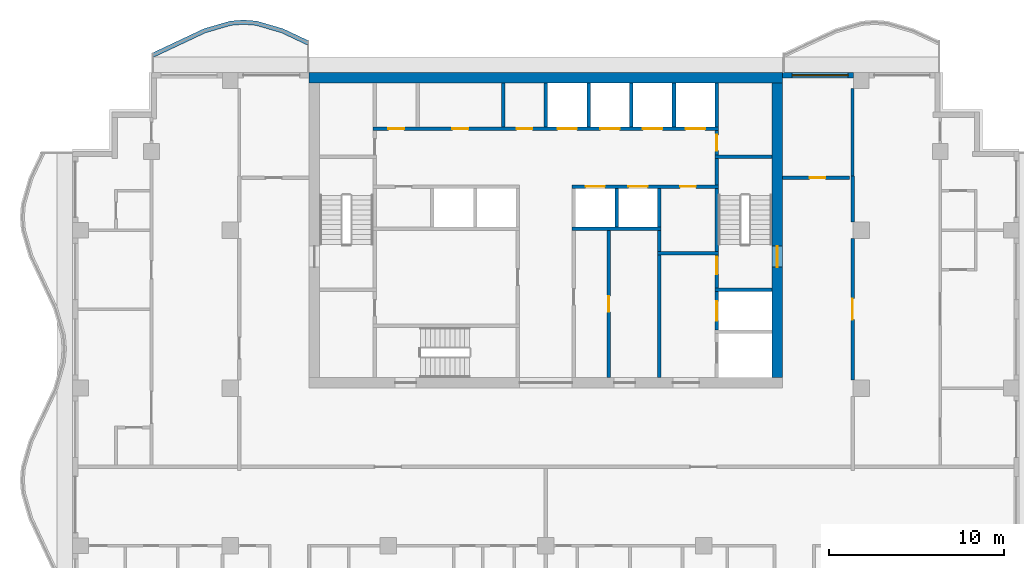
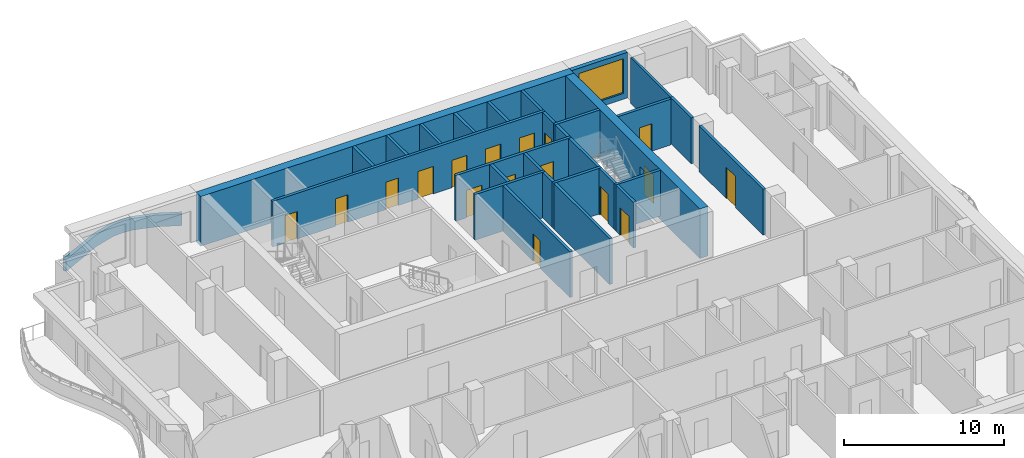
# One storey, part 6 of 11: 30 walls, 17 doors, 1 window, 18 openings.
"""IFC4 building model written with IfcOpenShell, lengths in metres."""

from ifc_helpers import new_model, si_unit, direction, frame, frame_2d, origin, place, context, subcontext, project, spatial, polyline, rectangle, outline, extrude, material, layer, layer_set, type_object, element, fill, save


model = new_model("IFC4")

# Units and contexts
model_context = context("Model", 3, precision=1e-05, world=origin(), true_north=direction((0.0, 1.0)))
body_context = subcontext(model_context, "Body", "Model", "MODEL_VIEW")
ifc_project = project(units=[si_unit("LENGTHUNIT", "METRE"), si_unit("AREAUNIT", "SQUARE_METRE"), si_unit("VOLUMEUNIT", "CUBIC_METRE"), si_unit("PLANEANGLEUNIT", "RADIAN"), si_unit("MASSUNIT", "GRAM", prefix="KILO")], contexts=[model_context])

# Site, building, storey
site_placement = place(None, origin())
site = spatial("IfcSite", under=ifc_project, at=site_placement, CompositionType="ELEMENT")
building_placement = place(site_placement, origin())
building = spatial("IfcBuilding", under=site, at=building_placement, Name="Orbiselva Terraces", CompositionType="ELEMENT")
storey_placement = place(building_placement, frame((0.0, 0.0, 273.0)))
storey = spatial("IfcBuildingStorey", under=building, at=storey_placement, Name="L69", CompositionType="ELEMENT", Elevation=273.0)

# Wall, opening, door
ifc_material_1 = material(Name="Concrete C80/95", Category="concrete")
ifc_layer_1 = layer(ifc_material_1, 0.6)
ifc_layer_set_1 = layer_set([ifc_layer_1], Name="Concrete C80/95")
wall_type_1 = type_object("IfcWallType", Name="CORE WALL 600", PredefinedType="SHEAR", material=ifc_layer_set_1)
wall_1_placement = place(storey_placement, frame((13.2, 5.1, -0.3), z_axis=(0.0, 0.0, 1.0), x_axis=(0.0, 1.0, 0.0)))
wall_1 = element("IfcWall", 1, at=wall_1_placement, inside=storey, type_object=wall_type_1, Name="Core wall L69 east", PredefinedType="SHEAR", context=body_context, shape_type="SweptSolid", body=[
    extrude(rectangle(XDim=16.8, YDim=0.6, at=frame_2d((8.4, 0.0))), origin(), (0.0, 0.0, 1.0), 3.8),
])
opening_1_placement = place(wall_1_placement, frame((6.3, 0.0, 0.3)))
opening_1 = element("IfcOpeningElement", 2, at=opening_1_placement, cuts=wall_1, Name="Opening DS1200", PredefinedType="OPENING", context=body_context, shape_type="SweptSolid", body=[
    extrude(rectangle(XDim=1.2, YDim=2.2, at=frame_2d((0.6, 1.1))), frame((0.0, 0.31, 0.0), z_axis=(0.0, -1.0, 0.0), x_axis=(1.0, 0.0, 0.0)), (0.0, 0.0, 1.0), 0.62),
])
ifc_material_2 = material(Name="Steel fire door", Category="steel")
door_type_1 = type_object("IfcDoorType", Name="STAIR DOOR 1200", OperationType="NOTDEFINED", PredefinedType="DOOR", material=ifc_material_2)
door_1_placement = place(opening_1_placement, frame((1.2, 0.0, 0.0), z_axis=(0.0, 0.0, 1.0), x_axis=(-1.0, 0.0, 0.0)))
door_1 = element("IfcDoor", 3, at=door_1_placement, inside=storey, type_object=door_type_1, Name="L69 EXIT STAIR S2 door", OperationType="SINGLE_SWING_LEFT", OverallHeight=2.2, OverallWidth=1.2, PredefinedType="DOOR", context=body_context, shape_type="SweptSolid", body=[
    extrude(rectangle(XDim=1.2, YDim=2.2, at=frame_2d((0.6, 1.1))), frame((0.0, 0.025, 0.0), z_axis=(0.0, -1.0, 0.0), x_axis=(1.0, 0.0, 0.0)), (0.0, 0.0, 1.0), 0.05),
])
fill(opening_1, door_1)

# Walls
ifc_layer_2 = layer(ifc_material_1, 0.6)
ifc_layer_set_2 = layer_set([ifc_layer_2], Name="Concrete C80/95")
wall_type_2 = type_object("IfcWallType", Name="CORE WALL 600 EXTERNAL", PredefinedType="SHEAR", material=ifc_layer_set_2)
wall_2_placement = place(storey_placement, frame((13.5, 22.2, -0.3), z_axis=(0.0, 0.0, 1.0), x_axis=(-1.0, 0.0, 0.0)))
element("IfcWall", 4, at=wall_2_placement, inside=storey, type_object=wall_type_2, Name="Core wall L69 north", PredefinedType="SHEAR", context=body_context, shape_type="SweptSolid", body=[
    extrude(rectangle(XDim=27.0, YDim=0.6, at=frame_2d((13.5, 0.0))), origin(), (0.0, 0.0, 1.0), 3.8),
])
ifc_material_3 = material(Name="Masonry blockwork", Category="masonry")
ifc_layer_3 = layer(ifc_material_3, 0.2)
ifc_layer_set_3 = layer_set([ifc_layer_3], Name="Masonry blockwork")
wall_type_3 = type_object("IfcWallType", Name="CORE-WALL-PARTITION-200", PredefinedType="PARTITIONING", material=ifc_layer_set_3)
wall_3_placement = place(storey_placement, frame((-2.4375, 19.4, 0.0), z_axis=(0.0, 0.0, 1.0), x_axis=(0.0, 1.0, 0.0)))
element("IfcWall", 5, at=wall_3_placement, inside=storey, type_object=wall_type_3, Name="L69 core wall 17", PredefinedType="PARTITIONING", context=body_context, shape_type="SweptSolid", body=[
    extrude(rectangle(XDim=2.5, YDim=0.2, at=frame_2d((1.25, 0.0))), origin(), (0.0, 0.0, 1.0), 3.5),
])

# Wall, opening, door
wall_4_placement = place(storey_placement, frame((3.6, 13.5, 0.0), z_axis=(0.0, 0.0, 1.0), x_axis=(0.0, -1.0, 0.0)))
wall_4 = element("IfcWall", 6, at=wall_4_placement, inside=storey, type_object=wall_type_3, Name="L69 core wall 27", PredefinedType="PARTITIONING", context=body_context, shape_type="SweptSolid", body=[
    extrude(rectangle(XDim=8.4, YDim=0.2, at=frame_2d((4.2, 0.0))), origin(), (0.0, 0.0, 1.0), 3.5),
])
opening_2_placement = place(wall_4_placement, frame((3.75, 0.0, 0.0)))
opening_2 = element("IfcOpeningElement", 7, at=opening_2_placement, cuts=wall_4, Name="Opening DR900", PredefinedType="OPENING", context=body_context, shape_type="SweptSolid", body=[
    extrude(rectangle(XDim=0.9, YDim=2.1, at=frame_2d((0.45, 1.05))), frame((0.0, 0.11, 0.0), z_axis=(0.0, -1.0, 0.0), x_axis=(1.0, 0.0, 0.0)), (0.0, 0.0, 1.0), 0.22),
])
door_type_2 = type_object("IfcDoorType", Name="ROOM DOOR 900", OperationType="NOTDEFINED", PredefinedType="DOOR", material=ifc_material_2)
door_2_placement = place(opening_2_placement, origin())
door_2 = element("IfcDoor", 8, at=door_2_placement, inside=storey, type_object=door_type_2, Name="L69 SERVICE ROOM door", OperationType="SINGLE_SWING_RIGHT", OverallHeight=2.1, OverallWidth=0.9, PredefinedType="DOOR", context=body_context, shape_type="SweptSolid", body=[
    extrude(rectangle(XDim=0.9, YDim=2.1, at=frame_2d((0.45, 1.05))), frame((0.0, 0.025, 0.0), z_axis=(0.0, -1.0, 0.0), x_axis=(1.0, 0.0, 0.0)), (0.0, 0.0, 1.0), 0.05),
])
fill(opening_2, door_2)

# Wall
wall_5_placement = place(storey_placement, frame((6.475, 12.3, 0.0), z_axis=(0.0, 0.0, 1.0), x_axis=(0.0, 1.0, 0.0)))
element("IfcWall", 9, at=wall_5_placement, inside=storey, type_object=wall_type_3, Name="L69 core wall 32", PredefinedType="PARTITIONING", context=body_context, shape_type="SweptSolid", body=[
    extrude(rectangle(XDim=1.2, YDim=0.2, at=frame_2d((0.6, 0.0))), origin(), (0.0, 0.0, 1.0), 3.5),
])

# Wall, opening, door
wall_6_placement = place(storey_placement, frame((9.75, 19.2, 0.0), z_axis=(0.0, 0.0, 1.0), x_axis=(0.0, -1.0, 0.0)))
wall_6 = element("IfcWall", 10, at=wall_6_placement, inside=storey, type_object=wall_type_3, Name="L69 core wall 43", PredefinedType="PARTITIONING", context=body_context, shape_type="SweptSolid", body=[
    extrude(rectangle(XDim=1.4, YDim=0.2, at=frame_2d((0.7, 0.0))), origin(), (0.0, 0.0, 1.0), 3.5),
])
opening_3_placement = place(wall_6_placement, frame((0.25, 0.0, 0.0)))
opening_3 = element("IfcOpeningElement", 11, at=opening_3_placement, cuts=wall_6, Name="Opening DR900", PredefinedType="OPENING", context=body_context, shape_type="SweptSolid", body=[
    extrude(rectangle(XDim=0.9, YDim=2.1, at=frame_2d((0.45, 1.05))), frame((0.0, 0.11, 0.0), z_axis=(0.0, -1.0, 0.0), x_axis=(1.0, 0.0, 0.0)), (0.0, 0.0, 1.0), 0.22),
])
door_3_placement = place(opening_3_placement, origin())
door_3 = element("IfcDoor", 12, at=door_3_placement, inside=storey, type_object=door_type_2, Name="L69 COMMS RISER ROOM door", OperationType="SINGLE_SWING_RIGHT", OverallHeight=2.1, OverallWidth=0.9, PredefinedType="DOOR", context=body_context, shape_type="SweptSolid", body=[
    extrude(rectangle(XDim=0.9, YDim=2.1, at=frame_2d((0.45, 1.05))), frame((0.0, 0.025, 0.0), z_axis=(0.0, -1.0, 0.0), x_axis=(1.0, 0.0, 0.0)), (0.0, 0.0, 1.0), 0.05),
])
fill(opening_3, door_3)

# Walls
ifc_material_4 = material(Name="Concrete C40/50", Category="concrete")
ifc_layer_4 = layer(ifc_material_4, 0.2)
ifc_layer_set_4 = layer_set([ifc_layer_4], Name="Concrete C40/50")
wall_type_4 = type_object("IfcWallType", Name="CORE-WALL-SHAFT-200", PredefinedType="PARTITIONING", material=ifc_layer_set_4)
for number, where, z_axis, x_axis, name in (
    (13, (0.0, 19.4, 0.0), (0.0, 0.0, 1.0), (0.0, 1.0, 0.0), "L69 core wall 21"),
    (14, (2.4375, 19.4, 0.0), (0.0, 0.0, 1.0), (0.0, 1.0, 0.0), "L69 core wall 26"),
):
    element("IfcWall", number, at=place(storey_placement, frame(where, z_axis=z_axis, x_axis=x_axis)), inside=storey, type_object=wall_type_4, Name=name, PredefinedType="PARTITIONING", context=body_context, shape_type="SweptSolid", body=[
        extrude(rectangle(XDim=2.5, YDim=0.2, at=frame_2d((1.25, 0.0))), origin(), (0.0, 0.0, 1.0), 3.5),
    ])
wall_7_placement = place(storey_placement, frame((4.0375, 13.7, 0.0), z_axis=(0.0, 0.0, 1.0), x_axis=(0.0, 1.0, 0.0)))
element("IfcWall", 15, at=wall_7_placement, inside=storey, type_object=wall_type_4, Name="L69 core wall 28", PredefinedType="PARTITIONING", context=body_context, shape_type="SweptSolid", body=[
    extrude(rectangle(XDim=2.2, YDim=0.2, at=frame_2d((1.1, 0.0))), origin(), (0.0, 0.0, 1.0), 3.5),
])
wall_8_placement = place(storey_placement, frame((4.875, 19.4, 0.0), z_axis=(0.0, 0.0, 1.0), x_axis=(0.0, 1.0, 0.0)))
element("IfcWall", 16, at=wall_8_placement, inside=storey, type_object=wall_type_4, Name="L69 core wall 29", PredefinedType="PARTITIONING", context=body_context, shape_type="SweptSolid", body=[
    extrude(rectangle(XDim=2.5, YDim=0.2, at=frame_2d((1.25, 0.0))), origin(), (0.0, 0.0, 1.0), 3.5),
])
wall_9_placement = place(storey_placement, frame((6.475, 13.7, 0.0), z_axis=(0.0, 0.0, 1.0), x_axis=(0.0, 1.0, 0.0)))
element("IfcWall", 17, at=wall_9_placement, inside=storey, type_object=wall_type_4, Name="L69 core wall 33", PredefinedType="PARTITIONING", context=body_context, shape_type="SweptSolid", body=[
    extrude(rectangle(XDim=2.2, YDim=0.2, at=frame_2d((1.1, 0.0))), origin(), (0.0, 0.0, 1.0), 3.5),
])
for number, where, z_axis, x_axis, name in (
    (18, (7.3125, 19.4, 0.0), (0.0, 0.0, 1.0), (0.0, 1.0, 0.0), "L69 core wall 34"),
    (19, (9.75, 19.4, 0.0), (0.0, 0.0, 1.0), (0.0, 1.0, 0.0), "L69 core wall 44"),
):
    element("IfcWall", number, at=place(storey_placement, frame(where, z_axis=z_axis, x_axis=x_axis)), inside=storey, type_object=wall_type_4, Name=name, PredefinedType="PARTITIONING", context=body_context, shape_type="SweptSolid", body=[
        extrude(rectangle(XDim=2.5, YDim=0.2, at=frame_2d((1.25, 0.0))), origin(), (0.0, 0.0, 1.0), 3.5),
    ])

# Wall, openings, doors
ifc_material_5 = material(Name="Concrete C60/75", Category="concrete")
ifc_layer_5 = layer(ifc_material_5, 0.2)
ifc_layer_set_5 = layer_set([ifc_layer_5], Name="Concrete C60/75")
wall_type_5 = type_object("IfcWallType", Name="CORE-WALL-SHEAR-200", PredefinedType="SHEAR", material=ifc_layer_set_5)
wall_10_placement = place(storey_placement, frame((-9.85, 19.3, 0.0), z_axis=(0.0, 0.0, 1.0), x_axis=(1.0, 0.0, 0.0)))
wall_10 = element("IfcWall", 20, at=wall_10_placement, inside=storey, type_object=wall_type_5, Name="L69 core wall 12", PredefinedType="SHEAR", context=body_context, shape_type="SweptSolid", body=[
    extrude(rectangle(XDim=19.7, YDim=0.2, at=frame_2d((9.85, 0.0))), origin(), (0.0, 0.0, 1.0), 3.5),
])
opening_4_placement = place(wall_10_placement, frame((10.51875, 0.0, 0.0)))
opening_4 = element("IfcOpeningElement", 21, at=opening_4_placement, cuts=wall_10, Name="Opening LD-HR1", PredefinedType="OPENING", context=body_context, shape_type="SweptSolid", body=[
    extrude(rectangle(XDim=1.1, YDim=2.1, at=frame_2d((0.55, 1.05))), frame((0.0, 0.11, 0.0), z_axis=(0.0, -1.0, 0.0), x_axis=(1.0, 0.0, 0.0)), (0.0, 0.0, 1.0), 0.22),
])
opening_5_placement = place(wall_10_placement, frame((12.95625, 0.0, 0.0)))
opening_5 = element("IfcOpeningElement", 22, at=opening_5_placement, cuts=wall_10, Name="Opening LD-HR2", PredefinedType="OPENING", context=body_context, shape_type="SweptSolid", body=[
    extrude(rectangle(XDim=1.1, YDim=2.1, at=frame_2d((0.55, 1.05))), frame((0.0, 0.11, 0.0), z_axis=(0.0, -1.0, 0.0), x_axis=(1.0, 0.0, 0.0)), (0.0, 0.0, 1.0), 0.22),
])
opening_6_placement = place(wall_10_placement, frame((15.39375, 0.0, 0.0)))
opening_6 = element("IfcOpeningElement", 23, at=opening_6_placement, cuts=wall_10, Name="Opening LD-HR3", PredefinedType="OPENING", context=body_context, shape_type="SweptSolid", body=[
    extrude(rectangle(XDim=1.1, YDim=2.1, at=frame_2d((0.55, 1.05))), frame((0.0, 0.11, 0.0), z_axis=(0.0, -1.0, 0.0), x_axis=(1.0, 0.0, 0.0)), (0.0, 0.0, 1.0), 0.22),
])
opening_7_placement = place(wall_10_placement, frame((17.83125, 0.0, 0.0)))
opening_7 = element("IfcOpeningElement", 24, at=opening_7_placement, cuts=wall_10, Name="Opening LD-HR4", PredefinedType="OPENING", context=body_context, shape_type="SweptSolid", body=[
    extrude(rectangle(XDim=1.1, YDim=2.1, at=frame_2d((0.55, 1.05))), frame((0.0, 0.11, 0.0), z_axis=(0.0, -1.0, 0.0), x_axis=(1.0, 0.0, 0.0)), (0.0, 0.0, 1.0), 0.22),
])
opening_8_placement = place(wall_10_placement, frame((0.8688, 0.0, 0.0)))
opening_8 = element("IfcOpeningElement", 25, at=opening_8_placement, cuts=wall_10, Name="Opening DR900", PredefinedType="OPENING", context=body_context, shape_type="SweptSolid", body=[
    extrude(rectangle(XDim=0.9, YDim=2.1, at=frame_2d((0.45, 1.05))), frame((0.0, 0.11, 0.0), z_axis=(0.0, -1.0, 0.0), x_axis=(1.0, 0.0, 0.0)), (0.0, 0.0, 1.0), 0.22),
])
opening_9_placement = place(wall_10_placement, frame((4.525, 0.0, 0.0)))
opening_9 = element("IfcOpeningElement", 26, at=opening_9_placement, cuts=wall_10, Name="Opening DR900", PredefinedType="OPENING", context=body_context, shape_type="SweptSolid", body=[
    extrude(rectangle(XDim=0.9, YDim=2.1, at=frame_2d((0.45, 1.05))), frame((0.0, 0.11, 0.0), z_axis=(0.0, -1.0, 0.0), x_axis=(1.0, 0.0, 0.0)), (0.0, 0.0, 1.0), 0.22),
])
opening_10_placement = place(wall_10_placement, frame((8.1812, 0.0, 0.0)))
opening_10 = element("IfcOpeningElement", 27, at=opening_10_placement, cuts=wall_10, Name="Opening DR900", PredefinedType="OPENING", context=body_context, shape_type="SweptSolid", body=[
    extrude(rectangle(XDim=0.9, YDim=2.1, at=frame_2d((0.45, 1.05))), frame((0.0, 0.11, 0.0), z_axis=(0.0, -1.0, 0.0), x_axis=(1.0, 0.0, 0.0)), (0.0, 0.0, 1.0), 0.22),
])
ifc_material_6 = material(Name="Stainless steel landing door", Category="steel")
door_type_3 = type_object("IfcDoorType", Name="LANDING DOOR 1100", OperationType="SLIDING_TO_LEFT", PredefinedType="DOOR", material=ifc_material_6)
door_4_placement = place(opening_4_placement, origin())
door_4 = element("IfcDoor", 28, at=door_4_placement, inside=storey, type_object=door_type_3, Name="L69 landing door HR1", OperationType="SLIDING_TO_RIGHT", OverallHeight=2.1, OverallWidth=1.1, PredefinedType="DOOR", context=body_context, shape_type="SweptSolid", body=[
    extrude(rectangle(XDim=1.1, YDim=2.1, at=frame_2d((0.55, 1.05))), frame((0.0, 0.025, 0.0), z_axis=(0.0, -1.0, 0.0), x_axis=(1.0, 0.0, 0.0)), (0.0, 0.0, 1.0), 0.05),
])
fill(opening_4, door_4)
door_5_placement = place(opening_5_placement, origin())
door_5 = element("IfcDoor", 29, at=door_5_placement, inside=storey, type_object=door_type_3, Name="L69 landing door HR2", OperationType="SLIDING_TO_RIGHT", OverallHeight=2.1, OverallWidth=1.1, PredefinedType="DOOR", context=body_context, shape_type="SweptSolid", body=[
    extrude(rectangle(XDim=1.1, YDim=2.1, at=frame_2d((0.55, 1.05))), frame((0.0, 0.025, 0.0), z_axis=(0.0, -1.0, 0.0), x_axis=(1.0, 0.0, 0.0)), (0.0, 0.0, 1.0), 0.05),
])
fill(opening_5, door_5)
door_6_placement = place(opening_6_placement, origin())
door_6 = element("IfcDoor", 30, at=door_6_placement, inside=storey, type_object=door_type_3, Name="L69 landing door HR3", OperationType="SLIDING_TO_RIGHT", OverallHeight=2.1, OverallWidth=1.1, PredefinedType="DOOR", context=body_context, shape_type="SweptSolid", body=[
    extrude(rectangle(XDim=1.1, YDim=2.1, at=frame_2d((0.55, 1.05))), frame((0.0, 0.025, 0.0), z_axis=(0.0, -1.0, 0.0), x_axis=(1.0, 0.0, 0.0)), (0.0, 0.0, 1.0), 0.05),
])
fill(opening_6, door_6)
door_7_placement = place(opening_7_placement, origin())
door_7 = element("IfcDoor", 31, at=door_7_placement, inside=storey, type_object=door_type_3, Name="L69 landing door HR4", OperationType="SLIDING_TO_RIGHT", OverallHeight=2.1, OverallWidth=1.1, PredefinedType="DOOR", context=body_context, shape_type="SweptSolid", body=[
    extrude(rectangle(XDim=1.1, YDim=2.1, at=frame_2d((0.55, 1.05))), frame((0.0, 0.025, 0.0), z_axis=(0.0, -1.0, 0.0), x_axis=(1.0, 0.0, 0.0)), (0.0, 0.0, 1.0), 0.05),
])
fill(opening_7, door_7)
door_8_placement = place(opening_8_placement, origin())
door_8 = element("IfcDoor", 32, at=door_8_placement, inside=storey, type_object=door_type_2, Name="L69 STORE door", OperationType="SINGLE_SWING_LEFT", OverallHeight=2.1, OverallWidth=0.9, PredefinedType="DOOR", context=body_context, shape_type="SweptSolid", body=[
    extrude(rectangle(XDim=0.9, YDim=2.1, at=frame_2d((0.45, 1.05))), frame((0.0, 0.025, 0.0), z_axis=(0.0, -1.0, 0.0), x_axis=(1.0, 0.0, 0.0)), (0.0, 0.0, 1.0), 0.05),
])
fill(opening_8, door_8)
door_9_placement = place(opening_9_placement, origin())
door_9 = element("IfcDoor", 33, at=door_9_placement, inside=storey, type_object=door_type_2, Name="L69 IT ROOM door", OperationType="SINGLE_SWING_LEFT", OverallHeight=2.1, OverallWidth=0.9, PredefinedType="DOOR", context=body_context, shape_type="SweptSolid", body=[
    extrude(rectangle(XDim=0.9, YDim=2.1, at=frame_2d((0.45, 1.05))), frame((0.0, 0.025, 0.0), z_axis=(0.0, -1.0, 0.0), x_axis=(1.0, 0.0, 0.0)), (0.0, 0.0, 1.0), 0.05),
])
fill(opening_9, door_9)
door_10_placement = place(opening_10_placement, origin())
door_10 = element("IfcDoor", 34, at=door_10_placement, inside=storey, type_object=door_type_2, Name="L69 CLEANERS STORE door", OperationType="SINGLE_SWING_LEFT", OverallHeight=2.1, OverallWidth=0.9, PredefinedType="DOOR", context=body_context, shape_type="SweptSolid", body=[
    extrude(rectangle(XDim=0.9, YDim=2.1, at=frame_2d((0.45, 1.05))), frame((0.0, 0.025, 0.0), z_axis=(0.0, -1.0, 0.0), x_axis=(1.0, 0.0, 0.0)), (0.0, 0.0, 1.0), 0.05),
])
fill(opening_10, door_10)

# Wall
wall_11_placement = place(storey_placement, frame((1.5, 13.6, 0.0), z_axis=(0.0, 0.0, 1.0), x_axis=(1.0, 0.0, 0.0)))
element("IfcWall", 35, at=wall_11_placement, inside=storey, type_object=wall_type_5, Name="L69 core wall 23", PredefinedType="SHEAR", context=body_context, shape_type="SweptSolid", body=[
    extrude(rectangle(XDim=5.075, YDim=0.2, at=frame_2d((2.5375, 0.0))), origin(), (0.0, 0.0, 1.0), 3.5),
])

# Wall, openings, doors
wall_12_placement = place(storey_placement, frame((9.85, 16.0, 0.0), z_axis=(0.0, 0.0, 1.0), x_axis=(-1.0, 0.0, 0.0)))
wall_12 = element("IfcWall", 36, at=wall_12_placement, inside=storey, type_object=wall_type_5, Name="L69 core wall 25", PredefinedType="SHEAR", context=body_context, shape_type="SweptSolid", body=[
    extrude(rectangle(XDim=8.35, YDim=0.2, at=frame_2d((4.175, 0.0))), origin(), (0.0, 0.0, 1.0), 3.5),
])
opening_11_placement = place(wall_12_placement, frame((6.48125, 0.0, 0.0)))
opening_11 = element("IfcOpeningElement", 37, at=opening_11_placement, cuts=wall_12, Name="Opening LD-HR5", PredefinedType="OPENING", context=body_context, shape_type="SweptSolid", body=[
    extrude(rectangle(XDim=1.1, YDim=2.1, at=frame_2d((0.55, 1.05))), frame((0.0, 0.11, 0.0), z_axis=(0.0, -1.0, 0.0), x_axis=(1.0, 0.0, 0.0)), (0.0, 0.0, 1.0), 0.22),
])
opening_12_placement = place(wall_12_placement, frame((4.04375, 0.0, 0.0)))
opening_12 = element("IfcOpeningElement", 38, at=opening_12_placement, cuts=wall_12, Name="Opening LD-HR6", PredefinedType="OPENING", context=body_context, shape_type="SweptSolid", body=[
    extrude(rectangle(XDim=1.1, YDim=2.1, at=frame_2d((0.55, 1.05))), frame((0.0, 0.11, 0.0), z_axis=(0.0, -1.0, 0.0), x_axis=(1.0, 0.0, 0.0)), (0.0, 0.0, 1.0), 0.22),
])
opening_13_placement = place(wall_12_placement, frame((1.2875, 0.0, 0.0)))
opening_13 = element("IfcOpeningElement", 39, at=opening_13_placement, cuts=wall_12, Name="Opening DR900", PredefinedType="OPENING", context=body_context, shape_type="SweptSolid", body=[
    extrude(rectangle(XDim=0.9, YDim=2.1, at=frame_2d((0.45, 1.05))), frame((0.0, 0.11, 0.0), z_axis=(0.0, -1.0, 0.0), x_axis=(1.0, 0.0, 0.0)), (0.0, 0.0, 1.0), 0.22),
])
door_11_placement = place(opening_11_placement, origin())
door_11 = element("IfcDoor", 40, at=door_11_placement, inside=storey, type_object=door_type_3, Name="L69 landing door HR5", OperationType="SLIDING_TO_RIGHT", OverallHeight=2.1, OverallWidth=1.1, PredefinedType="DOOR", context=body_context, shape_type="SweptSolid", body=[
    extrude(rectangle(XDim=1.1, YDim=2.1, at=frame_2d((0.55, 1.05))), frame((0.0, 0.025, 0.0), z_axis=(0.0, -1.0, 0.0), x_axis=(1.0, 0.0, 0.0)), (0.0, 0.0, 1.0), 0.05),
])
fill(opening_11, door_11)
door_12_placement = place(opening_12_placement, origin())
door_12 = element("IfcDoor", 41, at=door_12_placement, inside=storey, type_object=door_type_3, Name="L69 landing door HR6", OperationType="SLIDING_TO_RIGHT", OverallHeight=2.1, OverallWidth=1.1, PredefinedType="DOOR", context=body_context, shape_type="SweptSolid", body=[
    extrude(rectangle(XDim=1.1, YDim=2.1, at=frame_2d((0.55, 1.05))), frame((0.0, 0.025, 0.0), z_axis=(0.0, -1.0, 0.0), x_axis=(1.0, 0.0, 0.0)), (0.0, 0.0, 1.0), 0.05),
])
fill(opening_12, door_12)
door_13_placement = place(opening_13_placement, origin())
door_13 = element("IfcDoor", 42, at=door_13_placement, inside=storey, type_object=door_type_2, Name="L69 PIPE RISER ROOM door", OperationType="SINGLE_SWING_LEFT", OverallHeight=2.1, OverallWidth=0.9, PredefinedType="DOOR", context=body_context, shape_type="SweptSolid", body=[
    extrude(rectangle(XDim=0.9, YDim=2.1, at=frame_2d((0.45, 1.05))), frame((0.0, 0.025, 0.0), z_axis=(0.0, -1.0, 0.0), x_axis=(1.0, 0.0, 0.0)), (0.0, 0.0, 1.0), 0.05),
])
fill(opening_13, door_13)

# Walls
wall_13_placement = place(storey_placement, frame((6.475, 5.1, 0.0), z_axis=(0.0, 0.0, 1.0), x_axis=(0.0, 1.0, 0.0)))
element("IfcWall", 43, at=wall_13_placement, inside=storey, type_object=wall_type_5, Name="L69 core wall 30", PredefinedType="SHEAR", context=body_context, shape_type="SweptSolid", body=[
    extrude(rectangle(XDim=7.0, YDim=0.2, at=frame_2d((3.5, 0.0))), origin(), (0.0, 0.0, 1.0), 3.5),
])
wall_14_placement = place(storey_placement, frame((6.375, 12.2, 0.0), z_axis=(0.0, 0.0, 1.0), x_axis=(1.0, 0.0, 0.0)))
element("IfcWall", 44, at=wall_14_placement, inside=storey, type_object=wall_type_5, Name="L69 core wall 31", PredefinedType="SHEAR", context=body_context, shape_type="SweptSolid", body=[
    extrude(rectangle(XDim=3.475, YDim=0.2, at=frame_2d((1.7375, 0.0))), origin(), (0.0, 0.0, 1.0), 3.5),
])

# Wall, opening, door
wall_15_placement = place(storey_placement, frame((9.75, 7.8, 0.0), z_axis=(0.0, 0.0, 1.0), x_axis=(0.0, 1.0, 0.0)))
wall_15 = element("IfcWall", 45, at=wall_15_placement, inside=storey, type_object=wall_type_5, Name="L69 core wall 37", PredefinedType="SHEAR", context=body_context, shape_type="SweptSolid", body=[
    extrude(rectangle(XDim=2.2, YDim=0.2, at=frame_2d((1.1, 0.0))), origin(), (0.0, 0.0, 1.0), 3.5),
])
opening_14_placement = place(wall_15_placement, frame((0.55, 0.0, 0.0)))
opening_14 = element("IfcOpeningElement", 46, at=opening_14_placement, cuts=wall_15, Name="Opening LD-FF2", PredefinedType="OPENING", context=body_context, shape_type="SweptSolid", body=[
    extrude(rectangle(XDim=1.1, YDim=2.1, at=frame_2d((0.55, 1.05))), frame((0.0, 0.11, 0.0), z_axis=(0.0, -1.0, 0.0), x_axis=(1.0, 0.0, 0.0)), (0.0, 0.0, 1.0), 0.22),
])
door_14_placement = place(opening_14_placement, origin())
door_14 = element("IfcDoor", 47, at=door_14_placement, inside=storey, type_object=door_type_3, Name="L69 landing door FF2", OperationType="SLIDING_TO_RIGHT", OverallHeight=2.1, OverallWidth=1.1, PredefinedType="DOOR", context=body_context, shape_type="SweptSolid", body=[
    extrude(rectangle(XDim=1.1, YDim=2.1, at=frame_2d((0.55, 1.05))), frame((0.0, 0.025, 0.0), z_axis=(0.0, -1.0, 0.0), x_axis=(1.0, 0.0, 0.0)), (0.0, 0.0, 1.0), 0.05),
])
fill(opening_14, door_14)

# Wall
wall_16_placement = place(storey_placement, frame((9.65, 10.1, 0.0), z_axis=(0.0, 0.0, 1.0), x_axis=(1.0, 0.0, 0.0)))
element("IfcWall", 48, at=wall_16_placement, inside=storey, type_object=wall_type_5, Name="L69 core wall 38", PredefinedType="SHEAR", context=body_context, shape_type="SweptSolid", body=[
    extrude(rectangle(XDim=3.25, YDim=0.2, at=frame_2d((1.625, 0.0))), origin(), (0.0, 0.0, 1.0), 3.5),
])

# Wall, opening, door
wall_17_placement = place(storey_placement, frame((9.75, 12.1, 0.0), z_axis=(0.0, 0.0, 1.0), x_axis=(0.0, -1.0, 0.0)))
wall_17 = element("IfcWall", 49, at=wall_17_placement, inside=storey, type_object=wall_type_5, Name="L69 core wall 39", PredefinedType="SHEAR", context=body_context, shape_type="SweptSolid", body=[
    extrude(rectangle(XDim=1.9, YDim=0.2, at=frame_2d((0.95, 0.0))), origin(), (0.0, 0.0, 1.0), 3.5),
])
opening_15_placement = place(wall_17_placement, frame((0.1, 0.0, 0.0)))
opening_15 = element("IfcOpeningElement", 50, at=opening_15_placement, cuts=wall_17, Name="Opening DS1000", PredefinedType="OPENING", context=body_context, shape_type="SweptSolid", body=[
    extrude(rectangle(XDim=1.0, YDim=2.2, at=frame_2d((0.5, 1.1))), frame((0.0, 0.11, 0.0), z_axis=(0.0, -1.0, 0.0), x_axis=(1.0, 0.0, 0.0)), (0.0, 0.0, 1.0), 0.22),
])
door_type_4 = type_object("IfcDoorType", Name="STAIR DOOR 1000", OperationType="NOTDEFINED", PredefinedType="DOOR", material=ifc_material_2)
door_15_placement = place(opening_15_placement, origin())
door_15 = element("IfcDoor", 51, at=door_15_placement, inside=storey, type_object=door_type_4, Name="L69 FIRE-FIGHTING LOBBY TO EXIT STAIR S2 door", OperationType="SINGLE_SWING_LEFT", OverallHeight=2.2, OverallWidth=1.0, PredefinedType="DOOR", context=body_context, shape_type="SweptSolid", body=[
    extrude(rectangle(XDim=1.0, YDim=2.2, at=frame_2d((0.5, 1.1))), frame((0.0, 0.025, 0.0), z_axis=(0.0, -1.0, 0.0), x_axis=(1.0, 0.0, 0.0)), (0.0, 0.0, 1.0), 0.05),
])
fill(opening_15, door_15)

# Walls
wall_18_placement = place(storey_placement, frame((9.75, 12.3, 0.0), z_axis=(0.0, 0.0, 1.0), x_axis=(0.0, 1.0, 0.0)))
element("IfcWall", 52, at=wall_18_placement, inside=storey, type_object=wall_type_5, Name="L69 core wall 40", PredefinedType="SHEAR", context=body_context, shape_type="SweptSolid", body=[
    extrude(rectangle(XDim=3.6, YDim=0.2, at=frame_2d((1.8, 0.0))), origin(), (0.0, 0.0, 1.0), 3.5),
])
wall_19_placement = place(storey_placement, frame((9.75, 16.1, 0.0), z_axis=(0.0, 0.0, 1.0), x_axis=(0.0, 1.0, 0.0)))
element("IfcWall", 53, at=wall_19_placement, inside=storey, type_object=wall_type_5, Name="L69 core wall 41", PredefinedType="SHEAR", context=body_context, shape_type="SweptSolid", body=[
    extrude(rectangle(XDim=1.5, YDim=0.2, at=frame_2d((0.75, 0.0))), origin(), (0.0, 0.0, 1.0), 3.5),
])
wall_20_placement = place(storey_placement, frame((9.65, 17.7, 0.0), z_axis=(0.0, 0.0, 1.0), x_axis=(1.0, 0.0, 0.0)))
element("IfcWall", 54, at=wall_20_placement, inside=storey, type_object=wall_type_5, Name="L69 core wall 42", PredefinedType="SHEAR", context=body_context, shape_type="SweptSolid", body=[
    extrude(rectangle(XDim=3.25, YDim=0.2, at=frame_2d((1.625, 0.0))), origin(), (0.0, 0.0, 1.0), 3.5),
])
ifc_layer_6 = layer(ifc_material_4, 0.25)
ifc_layer_set_6 = layer_set([ifc_layer_6], Name="Concrete C40/50")
wall_type_6 = type_object("IfcWallType", Name="ENV-PLANTER-250x900", PredefinedType="USERDEFINED", material=ifc_layer_set_6)
wall_21_placement = place(storey_placement, origin())
element("IfcWall", 55, at=wall_21_placement, inside=storey, type_object=wall_type_6, Name="Balcony planter L69 NW", ObjectType="PLANTER", PredefinedType="USERDEFINED", context=body_context, shape_type="SweptSolid", body=[
    extrude(outline(polyline([(-13.5, 24.3), (-15.0, 25.005342), (-16.5, 25.441268), (-17.25, 25.5), (-18.0, 25.441268), (-19.5, 25.005342), (-21.0, 24.3), (-22.5, 23.594658), (-22.393617, 23.368422), (-20.893617, 24.073764), (-19.411382, 24.770753), (-17.954886, 25.194035), (-17.25, 25.249235), (-16.545114, 25.194035), (-15.088618, 24.770753), (-13.606383, 24.073764), (-13.5, 24.3)])), origin(), (0.0, 0.0, 1.0), 0.9),
])

# Wall, opening, window
ifc_material_7 = material(Name="Terracotta cladding on masonry backing", Category="masonry")
ifc_layer_7 = layer(ifc_material_7, 0.3)
ifc_layer_set_7 = layer_set([ifc_layer_7], Name="Terracotta cladding on masonry backing")
wall_type_7 = type_object("IfcWallType", Name="ENV-WALL-TERRACOTTA-300", PredefinedType="SOLIDWALL", material=ifc_layer_set_7)
wall_22_placement = place(storey_placement, frame((13.5, 22.35, 0.0), z_axis=(0.0, 0.0, 1.0), x_axis=(1.0, 0.0, 0.0)))
wall_22 = element("IfcWall", 56, at=wall_22_placement, inside=storey, type_object=wall_type_7, Name="Facade wall L69 NE", PredefinedType="SOLIDWALL", context=body_context, shape_type="SweptSolid", body=[
    extrude(rectangle(XDim=4.05, YDim=0.3, at=frame_2d((2.025, 0.0))), origin(), (0.0, 0.0, 1.0), 3.5),
])
opening_16_placement = place(wall_22_placement, frame((0.55, 0.0, 0.45)))
opening_16 = element("IfcOpeningElement", 57, at=opening_16_placement, cuts=wall_22, Name="Opening WN17", PredefinedType="OPENING", context=body_context, shape_type="SweptSolid", body=[
    extrude(rectangle(XDim=3.2, YDim=2.65, at=frame_2d((1.6, 1.325))), frame((0.0, 0.16, 0.0), z_axis=(0.0, -1.0, 0.0), x_axis=(1.0, 0.0, 0.0)), (0.0, 0.0, 1.0), 0.32),
])
ifc_material_8 = material(Name="Clear low-e glazing in aluminium frame", Category="aluminium")
window_type = type_object("IfcWindowType", Name="WINDOW 3200 X 2650 S450", PartitioningType="TRIPLE_PANEL_VERTICAL", PredefinedType="WINDOW", material=ifc_material_8)
window_placement = place(opening_16_placement, origin())
window = element("IfcWindow", 58, at=window_placement, inside=storey, type_object=window_type, Name="Window L69 NE", OverallHeight=2.65, OverallWidth=3.2, PartitioningType="SINGLE_PANEL", PredefinedType="WINDOW", context=body_context, shape_type="SweptSolid", body=[
    extrude(rectangle(XDim=3.2, YDim=2.65, at=frame_2d((1.6, 1.325))), frame((0.0, 0.03, 0.0), z_axis=(0.0, -1.0, 0.0), x_axis=(1.0, 0.0, 0.0)), (0.0, 0.0, 1.0), 0.06),
])
fill(opening_16, window)

# Wall, opening, door
ifc_material_9 = material(Name="Plasterboard on steel stud partition", Category="steel")
ifc_layer_8 = layer(ifc_material_9, 0.2)
ifc_layer_set_8 = layer_set([ifc_layer_8], Name="Plasterboard on steel stud partition")
wall_type_8 = type_object("IfcWallType", Name="UNIT-ENTRANCE-WALL-200", PredefinedType="PARTITIONING", material=ifc_layer_set_8)
wall_23_placement = place(storey_placement, frame((13.5, 16.5, 0.0), z_axis=(0.0, 0.0, 1.0), x_axis=(1.0, 0.0, 0.0)))
wall_23 = element("IfcWall", 59, at=wall_23_placement, inside=storey, type_object=wall_type_8, Name="PARTITION L69-040", PredefinedType="PARTITIONING", context=body_context, shape_type="SweptSolid", body=[
    extrude(rectangle(XDim=3.825, YDim=0.2, at=frame_2d((1.9125, 0.0))), origin(), (0.0, 0.0, 1.0), 3.5),
])
opening_17_placement = place(wall_23_placement, frame((1.55, 0.0, 0.0)))
opening_17 = element("IfcOpeningElement", 60, at=opening_17_placement, cuts=wall_23, Name="Opening Z5-D-02", PredefinedType="OPENING", context=body_context, shape_type="SweptSolid", body=[
    extrude(rectangle(XDim=0.9, YDim=2.1, at=frame_2d((0.45, 1.05))), frame((0.0, 0.11, 0.0), z_axis=(0.0, -1.0, 0.0), x_axis=(1.0, 0.0, 0.0)), (0.0, 0.0, 1.0), 0.22),
])
ifc_material_10 = material(Name="Painted timber door leaf", Category="wood")
door_type_5 = type_object("IfcDoorType", Name="SERVICE DOOR 900", OperationType="NOTDEFINED", PredefinedType="DOOR", material=ifc_material_10)
door_16_placement = place(opening_17_placement, origin())
door_16 = element("IfcDoor", 61, at=door_16_placement, inside=storey, type_object=door_type_5, Name="Z5-D-02", OperationType="SINGLE_SWING_RIGHT", OverallHeight=2.1, OverallWidth=0.9, PredefinedType="DOOR", context=body_context, shape_type="SweptSolid", body=[
    extrude(rectangle(XDim=0.9, YDim=2.1, at=frame_2d((0.45, 1.05))), frame((0.0, 0.025, 0.0), z_axis=(0.0, -1.0, 0.0), x_axis=(1.0, 0.0, 0.0)), (0.0, 0.0, 1.0), 0.05),
])
fill(opening_17, door_16)

wall_24_placement = place(storey_placement, frame((17.5, 13.025, 0.0), z_axis=(0.0, 0.0, 1.0), x_axis=(0.0, -1.0, 0.0)))
wall_24 = element("IfcWall", 62, at=wall_24_placement, inside=storey, type_object=wall_type_8, Name="PARTITION L69-082", PredefinedType="PARTITIONING", context=body_context, shape_type="SweptSolid", body=[
    extrude(rectangle(XDim=8.05, YDim=0.2, at=frame_2d((4.025, 0.0))), origin(), (0.0, 0.0, 1.0), 3.5),
])
opening_18_placement = place(wall_24_placement, frame((3.425, 0.0, 0.0)))
opening_18 = element("IfcOpeningElement", 63, at=opening_18_placement, cuts=wall_24, Name="Opening Z5-D-09", PredefinedType="OPENING", context=body_context, shape_type="SweptSolid", body=[
    extrude(rectangle(XDim=1.2, YDim=2.4, at=frame_2d((0.6, 1.2))), frame((0.0, 0.11, 0.0), z_axis=(0.0, -1.0, 0.0), x_axis=(1.0, 0.0, 0.0)), (0.0, 0.0, 1.0), 0.22),
])
door_type_6 = type_object("IfcDoorType", Name="ENTRANCE DOOR 1200", OperationType="NOTDEFINED", PredefinedType="DOOR", material=ifc_material_10)
door_17_placement = place(opening_18_placement, origin())
door_17 = element("IfcDoor", 64, at=door_17_placement, inside=storey, type_object=door_type_6, Name="Z5-D-09", OperationType="SINGLE_SWING_RIGHT", OverallHeight=2.4, OverallWidth=1.2, PredefinedType="DOOR", context=body_context, shape_type="SweptSolid", body=[
    extrude(rectangle(XDim=1.2, YDim=2.4, at=frame_2d((0.6, 1.2))), frame((0.0, 0.025, 0.0), z_axis=(0.0, -1.0, 0.0), x_axis=(1.0, 0.0, 0.0)), (0.0, 0.0, 1.0), 0.05),
])
fill(opening_18, door_17)

# Walls
wall_25_placement = place(storey_placement, frame((17.5, 13.975, 0.0), z_axis=(0.0, 0.0, 1.0), x_axis=(0.0, 1.0, 0.0)))
element("IfcWall", 65, at=wall_25_placement, inside=storey, type_object=wall_type_8, Name="PARTITION L69-083", PredefinedType="PARTITIONING", context=body_context, shape_type="SweptSolid", body=[
    extrude(rectangle(XDim=2.625, YDim=0.2, at=frame_2d((1.3125, 0.0))), origin(), (0.0, 0.0, 1.0), 3.5),
])
ifc_layer_9 = layer(ifc_material_9, 0.15)
ifc_layer_set_9 = layer_set([ifc_layer_9], Name="Plasterboard on steel stud partition")
wall_type_9 = type_object("IfcWallType", Name="UNIT-PARTITION-150", PredefinedType="PARTITIONING", material=ifc_layer_set_9)
wall_26_placement = place(storey_placement, frame((17.5, 16.4, 0.0), z_axis=(0.0, 0.0, 1.0), x_axis=(0.0, 1.0, 0.0)))
element("IfcWall", 66, at=wall_26_placement, inside=storey, type_object=wall_type_9, Name="PARTITION L69-084", PredefinedType="PARTITIONING", context=body_context, shape_type="SweptSolid", body=[
    extrude(rectangle(XDim=5.2, YDim=0.15, at=frame_2d((2.6, 0.0))), origin(), (0.0, 0.0, 1.0), 3.5),
])

save(model, "model.ifc")
